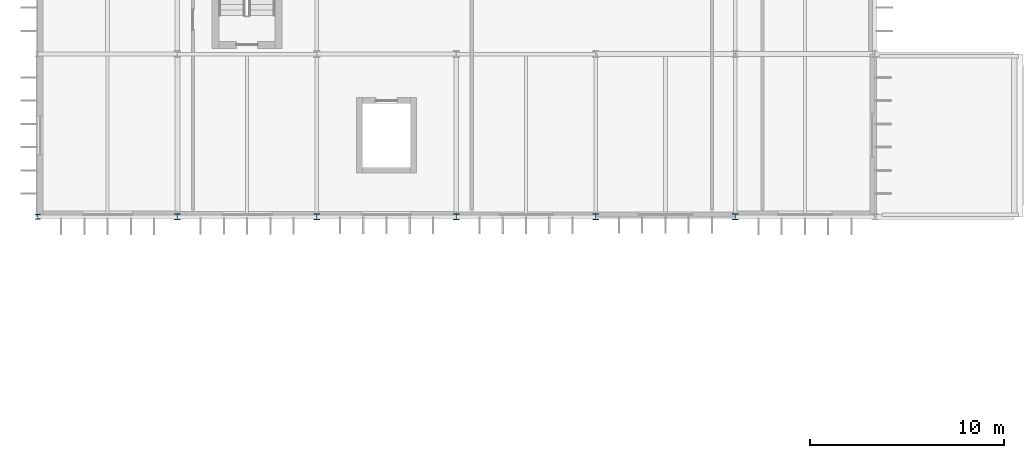
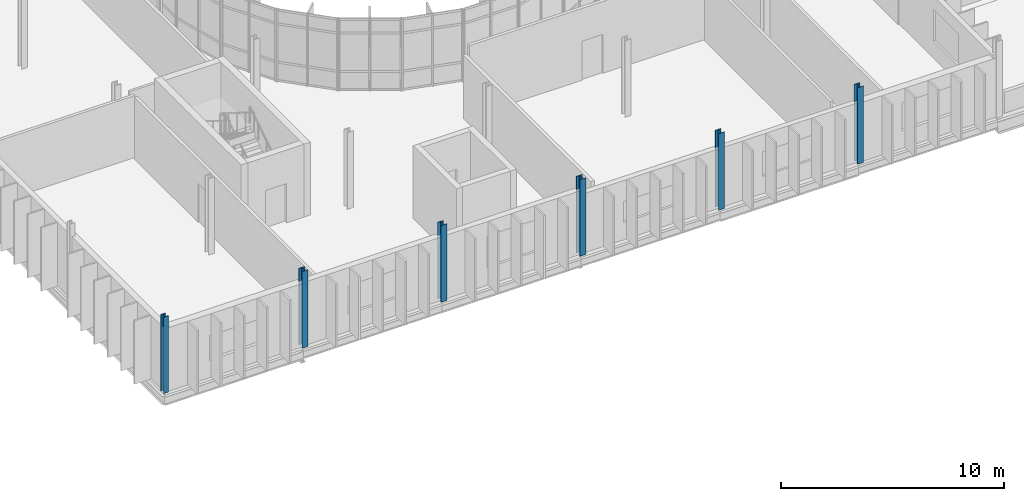
# One storey, part 1 of 61: 6 columns.
"""IFC4 building model written with IfcOpenShell, lengths in metres."""

from ifc_helpers import new_model, si_unit, direction, frame, origin, origin_2d, place, context, subcontext, project, spatial, i_section, extrude, material, material_profile, profile_set, type_object, element, save


model = new_model("IFC4")

# Units and contexts
model_context = context("Model", 3, precision=1e-05, world=origin(), true_north=direction((0.0, 1.0)))
body_context = subcontext(model_context, "Body", "Model", "MODEL_VIEW")
ifc_project = project(units=[si_unit("LENGTHUNIT", "METRE"), si_unit("AREAUNIT", "SQUARE_METRE"), si_unit("VOLUMEUNIT", "CUBIC_METRE"), si_unit("PLANEANGLEUNIT", "RADIAN"), si_unit("MASSUNIT", "GRAM", prefix="KILO")], contexts=[model_context])

# Site, building, storey
site_placement = place(None, origin())
site = spatial("IfcSite", under=ifc_project, at=site_placement, CompositionType="ELEMENT")
building_placement = place(site_placement, origin())
building = spatial("IfcBuilding", under=site, at=building_placement, Name="Qelthora Terrace Specialist Clinic", CompositionType="ELEMENT")
storey_placement = place(building_placement, frame((0.0, 0.0, 13.199951171875)))
storey = spatial("IfcBuildingStorey", under=building, at=storey_placement, Name="L03", CompositionType="ELEMENT", Elevation=13.199951171875)

# Columns
ifc_material = material(Name="Steel S355", Category="steel")
ifc_material_profile_1 = material_profile(ifc_material, i_section(OverallWidth=0.256103515625, OverallDepth=0.260009765625, WebThickness=0.0107421875, FlangeThickness=0.017333984375, FilletRadius=0.012939453125, at=origin_2d()), Name="W250X89")
ifc_profile_set_1 = profile_set([ifc_material_profile_1], Name="Steel S355")
column_type_1 = type_object("IfcColumnType", Name="COL-W250X89", PredefinedType="COLUMN", material=ifc_profile_set_1)
column_1_placement = place(storey_placement, frame((0.0, 58.800048828125, 0.0), z_axis=(0.0, 0.0, 1.0), x_axis=(1.0, 0.0, 0.0)))
element("IfcColumn", 1, at=column_1_placement, inside=storey, type_object=column_type_1, Name="Column L03-008", PredefinedType="COLUMN", context=body_context, shape_type="SweptSolid", body=[
    extrude(i_section(OverallWidth=0.256103515625, OverallDepth=0.260009765625, WebThickness=0.0107421875, FlangeThickness=0.017333984375, FilletRadius=0.012939453125, at=origin_2d()), origin(), (0.0, 0.0, 1.0), 4.199951171875),
])
ifc_material_profile_2 = material_profile(ifc_material, i_section(OverallWidth=0.30810546875, OverallDepth=0.318115234375, WebThickness=0.01318359375, FlangeThickness=0.0205078125, FilletRadius=0.01611328125, at=origin_2d()), Name="W310X129")
ifc_profile_set_2 = profile_set([ifc_material_profile_2], Name="Steel S355")
column_type_2 = type_object("IfcColumnType", Name="COL-W310X129", PredefinedType="COLUMN", material=ifc_profile_set_2)
column_2_placement = place(storey_placement, frame((28.800048828125, 58.800048828125, 0.0), z_axis=(0.0, 0.0, 1.0), x_axis=(1.0, 0.0, 0.0)))
element("IfcColumn", 2, at=column_2_placement, inside=storey, type_object=column_type_2, Name="Column L03-061", PredefinedType="COLUMN", context=body_context, shape_type="SweptSolid", body=[
    extrude(i_section(OverallWidth=0.30810546875, OverallDepth=0.318115234375, WebThickness=0.01318359375, FlangeThickness=0.0205078125, FilletRadius=0.01611328125, at=origin_2d()), origin(), (0.0, 0.0, 1.0), 4.199951171875),
])
ifc_material_profile_3 = material_profile(ifc_material, i_section(OverallWidth=0.30908203125, OverallDepth=0.322998046875, WebThickness=0.013916015625, FlangeThickness=0.02294921875, FilletRadius=0.01611328125, at=origin_2d()), Name="W310X143")
ifc_profile_set_3 = profile_set([ifc_material_profile_3], Name="Steel S355")
column_type_3 = type_object("IfcColumnType", Name="COL-W310X143", PredefinedType="COLUMN", material=ifc_profile_set_3)
for number, where, z_axis, x_axis, name in (
    (3, (7.199951171875, 58.800048828125, 0.0), (0.0, 0.0, 1.0), (1.0, 0.0, 0.0), "Column L03-022"),
    (4, (14.39990234375, 58.800048828125, 0.0), (0.0, 0.0, 1.0), (1.0, 0.0, 0.0), "Column L03-036"),
    (5, (21.60009765625, 58.800048828125, 0.0), (0.0, 0.0, 1.0), (1.0, 0.0, 0.0), "Column L03-050"),
    (6, (36.0, 58.800048828125, 0.0), (0.0, 0.0, 1.0), (1.0, 0.0, 0.0), "Column L03-072"),
):
    element("IfcColumn", number, at=place(storey_placement, frame(where, z_axis=z_axis, x_axis=x_axis)), inside=storey, type_object=column_type_3, Name=name, PredefinedType="COLUMN", context=body_context, shape_type="SweptSolid", body=[
        extrude(i_section(OverallWidth=0.30908203125, OverallDepth=0.322998046875, WebThickness=0.013916015625, FlangeThickness=0.02294921875, FilletRadius=0.01611328125, at=origin_2d()), origin(), (0.0, 0.0, 1.0), 4.199951171875),
    ])

save(model, "model.ifc")
